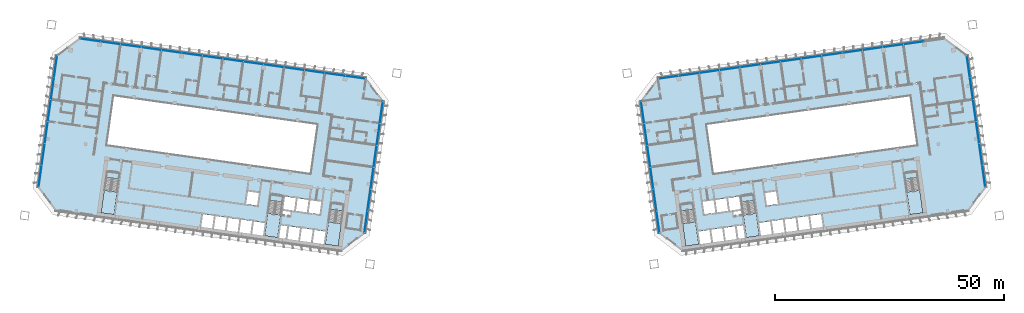
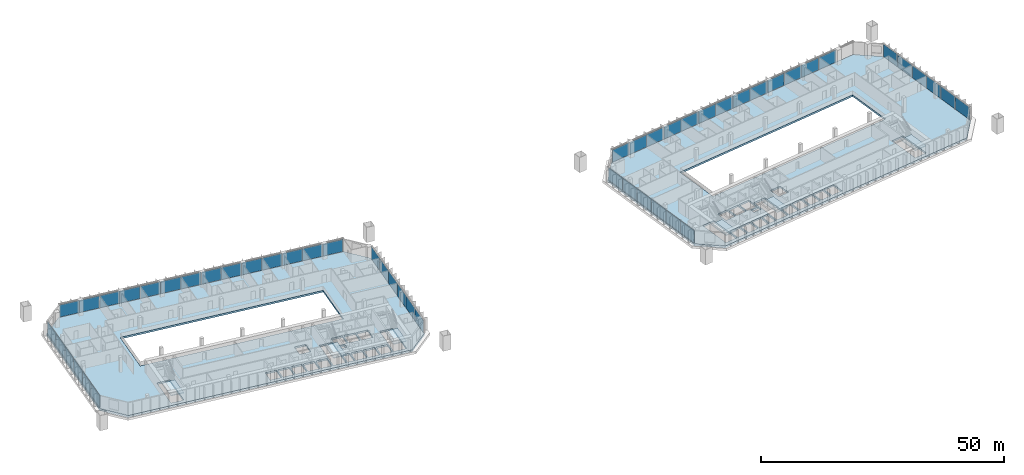
# One storey, part 12 of 24: 51 plates, 8 slabs, 12 elements without a shape of their own.
"""IFC4 building model written with IfcOpenShell, lengths in metres."""

import ifcopenshell
import ifcopenshell.guid

model = None  # the IFC model being written
_history = None  # IfcOwnerHistory: only IFC2X3 demands one
_inside = {}  # id of a spatial element -> (the spatial element, [elements in it])
_under = {}  # id of a project, library or spatial element -> (it, [spatial elements below it])
_declared = {}  # id of a project -> (the project, [libraries it declares])
_typed = {}  # id of a type object -> (the type object, [elements of that type])
_made_of = {}  # id of a material, layer set ... -> (it, [elements and type objects made of it])


def new_model(schema):
    """Start an empty IFC model of exactly this schema.

    Asked for "IFC4X3", IfcOpenShell would pick the latest addendum, in which some entities
    have other attributes; the version numbers below select the first issue.
    IFC2X3 requires an IfcOwnerHistory on every rooted entity: one is made here for all.
    """
    global model, _history
    if schema == "IFC4X3":
        model = ifcopenshell.file(schema_version=(4, 3, 0, 0))
    else:
        model = ifcopenshell.file(schema=schema)
    _inside.clear()
    _under.clear()
    _declared.clear()
    _typed.clear()
    _made_of.clear()
    _history = None
    if model.schema == "IFC2X3":
        org = make("IfcOrganization", Name="unknown")
        user = make(
            "IfcPersonAndOrganization",
            ThePerson=make("IfcPerson", FamilyName="unknown"),
            TheOrganization=org,
        )
        app = make(
            "IfcApplication",
            ApplicationDeveloper=org,
            Version="unknown",
            ApplicationFullName="unknown",
            ApplicationIdentifier="unknown",
        )
        _history = make(
            "IfcOwnerHistory",
            OwningUser=user,
            OwningApplication=app,
            ChangeAction="ADDED",
            CreationDate=0,
        )
    return model


def make(cls, **values):
    """One entity of the class cls with the attributes given. An attribute that is None is left unset."""
    return model.create_entity(
        cls, **{name: value for name, value in values.items() if value is not None}
    )


def rooted(cls, **values):
    """An entity with a GlobalId (a new one), such as an element, a storey or a relation."""
    return make(cls, GlobalId=ifcopenshell.guid.new(), OwnerHistory=_history, **values)


def si_unit(unit_type, name, prefix=None):
    """IfcSIUnit, for example si_unit("LENGTHUNIT", "METRE", prefix="MILLI")."""
    return make("IfcSIUnit", UnitType=unit_type, Prefix=prefix, Name=name)


def assignment(units):
    """IfcUnitAssignment: the units of a project."""
    return None if units is None else make("IfcUnitAssignment", Units=units)


def point(xyz):
    """IfcCartesianPoint."""
    return None if xyz is None else make("IfcCartesianPoint", Coordinates=xyz)


def direction(xyz):
    """IfcDirection."""
    return None if xyz is None else make("IfcDirection", DirectionRatios=xyz)


def frame(location, z_axis=None, x_axis=None):
    """IfcAxis2Placement3D, a coordinate frame: its origin and axes. An axis left out is left unset."""
    return make(
        "IfcAxis2Placement3D",
        Location=point(location),
        Axis=direction(z_axis),
        RefDirection=direction(x_axis),
    )


def frame_2d(location, x_axis=None):
    """IfcAxis2Placement2D, a coordinate frame in the plane: its origin and x axis."""
    return make(
        "IfcAxis2Placement2D", Location=point(location), RefDirection=direction(x_axis)
    )


def origin():
    """The frame at (0, 0, 0) with its axes left unset."""
    return frame((0.0, 0.0, 0.0))


def origin_2d():
    """The frame at (0, 0) in the plane with its x axis left unset."""
    return frame_2d((0.0, 0.0))


def place(relative_to, where):
    """IfcLocalPlacement: puts the frame where relative to a parent placement (None: the world)."""
    return make(
        "IfcLocalPlacement", PlacementRelTo=relative_to, RelativePlacement=where
    )


def context(
    kind, dimensions, precision=None, world=None, true_north=None, identifier=None
):
    """IfcGeometricRepresentationContext, for example the 3D "Model" context."""
    return make(
        "IfcGeometricRepresentationContext",
        ContextIdentifier=identifier,
        ContextType=kind,
        CoordinateSpaceDimension=dimensions,
        Precision=precision,
        WorldCoordinateSystem=world,
        TrueNorth=true_north,
    )


def subcontext(parent, identifier, kind, view, scale=None):
    """IfcGeometricRepresentationSubContext, for example "Body" below "Model"."""
    return make(
        "IfcGeometricRepresentationSubContext",
        ContextIdentifier=identifier,
        ContextType=kind,
        ParentContext=parent,
        TargetScale=scale,
        TargetView=view,
    )


def project(units=None, contexts=None):
    """IfcProject with its units and contexts."""
    return rooted(
        "IfcProject",
        Name="project",
        RepresentationContexts=contexts,
        UnitsInContext=assignment(units),
    )


def spatial(cls, under=None, at=None, **own):
    """A site, building, storey or space (cls), placed at a placement, below another one or the project."""
    s = rooted(cls, ObjectPlacement=at, **own)
    if under is not None:
        _under.setdefault(under.id(), (under, []))[1].append(s)
    return s


def polyline(points):
    """IfcPolyline through the points."""
    return make("IfcPolyline", Points=[point(p) for p in points])


def profile(cls, at=None, kind="AREA", **sizes):
    """A parametric profile (cls). Its sizes go by their IFC names, for example OverallWidth=200.0."""
    return make(cls, ProfileType=kind, Position=at, **sizes)


def rectangle(**sizes):
    """IfcRectangleProfileDef."""
    return profile("IfcRectangleProfileDef", **sizes)


def outline(outer, holes=None, kind="AREA"):
    """IfcArbitraryClosedProfileDef: a profile drawn as a closed curve; with holes, ...WithVoids."""
    if holes is None:
        return make("IfcArbitraryClosedProfileDef", ProfileType=kind, OuterCurve=outer)
    return make(
        "IfcArbitraryProfileDefWithVoids",
        ProfileType=kind,
        OuterCurve=outer,
        InnerCurves=holes,
    )


def extrude(swept, where, along, depth):
    """IfcExtrudedAreaSolid: the profile swept, set in the frame where, extruded along a direction by depth."""
    return make(
        "IfcExtrudedAreaSolid",
        SweptArea=swept,
        Position=where,
        ExtrudedDirection=direction(along),
        Depth=depth,
    )


def shape(context_of_items, identifier, shape_type, items):
    """IfcShapeRepresentation: the items that make up one representation, for example the "Body"."""
    return make(
        "IfcShapeRepresentation",
        ContextOfItems=context_of_items,
        RepresentationIdentifier=identifier,
        RepresentationType=shape_type,
        Items=items,
    )


def material(Name=None, Category=None):
    """IfcMaterial."""
    return make("IfcMaterial", Name=Name, Category=Category)


def layer(
    of_material, thickness, ventilated=None, Name=None, Category=None, Priority=None
):
    """IfcMaterialLayer: one layer of a wall or slab, of a material (None: an air gap)."""
    return make(
        "IfcMaterialLayer",
        Material=of_material,
        LayerThickness=thickness,
        IsVentilated=ventilated,
        Name=Name,
        Category=Category,
        Priority=Priority,
    )


def layer_set(layers, Name=None):
    """IfcMaterialLayerSet."""
    return make("IfcMaterialLayerSet", MaterialLayers=layers, LayerSetName=Name)


def made_of(thing, what):
    """Note that an element or type object is made of a material, layer set ...; save() writes the relation."""
    if what is not None:
        _made_of.setdefault(what.id(), (what, []))[1].append(thing)
    return thing


def type_object(cls, material=None, **own):
    """A type object (cls), such as IfcWallType, which elements share."""
    return made_of(rooted(cls, **own), material)


def element(
    cls,
    number,
    at=None,
    inside=None,
    cuts=None,
    type_object=None,
    material=None,
    context=None,
    identifier="Body",
    shape_type=None,
    held_by="IfcProductDefinitionShape",
    body=None,
    shapes=None,
    **own,
):
    """One element of the class cls, such as IfcWall. Its Tag is "e" and its number.

    at: its placement. inside: the storey or other place that contains it. cuts: it is an
    opening in that element (IfcRelVoidsElement). A single representation is given by context,
    identifier, shape_type and body (its items); several are given by shapes. held_by: the class
    of the entity that holds the representations. save() writes the other relations.
    """
    e = rooted(cls, Tag="e%d" % number, ObjectPlacement=at, **own)
    if body is not None:
        shapes = [shape(context, identifier, shape_type, body)]
    if shapes is not None:
        e.Representation = make(held_by, Representations=shapes)
    if inside is not None:
        _inside.setdefault(inside.id(), (inside, []))[1].append(e)
    if cuts is not None:
        rooted(
            "IfcRelVoidsElement", RelatingBuildingElement=cuts, RelatedOpeningElement=e
        )
    if type_object is not None:
        _typed.setdefault(type_object.id(), (type_object, []))[1].append(e)
    return made_of(e, material)


def aggregate(whole, parts):
    """IfcRelAggregates: a whole, such as a stair, and the parts it consists of."""
    return rooted("IfcRelAggregates", RelatingObject=whole, RelatedObjects=parts)


def save(model, path):
    """Write the relations noted so far, then the file.

    IfcRelAggregates (storeys below a building ...), IfcRelContainedInSpatialStructure (elements
    in a storey), IfcRelDefinesByType, IfcRelAssociatesMaterial and IfcRelDeclares: one each for
    every whole, place, type object, material and project.
    """
    for whole, parts in _under.values():
        aggregate(whole, parts)
    for where, things in _inside.values():
        rooted(
            "IfcRelContainedInSpatialStructure",
            RelatedElements=things,
            RelatingStructure=where,
        )
    for kind, things in _typed.values():
        rooted("IfcRelDefinesByType", RelatedObjects=things, RelatingType=kind)
    for what, things in _made_of.values():
        rooted("IfcRelAssociatesMaterial", RelatedObjects=things, RelatingMaterial=what)
    for by, libraries in _declared.values():
        rooted("IfcRelDeclares", RelatingContext=by, RelatedDefinitions=libraries)
    model.write(path)


model = new_model("IFC4")

# Units and contexts
model_context = context("Model", 3, precision=1e-05, world=origin(), true_north=direction((0.0, 1.0)))
body_context = subcontext(model_context, "Body", "Model", "MODEL_VIEW")
ifc_project = project(units=[si_unit("LENGTHUNIT", "METRE"), si_unit("AREAUNIT", "SQUARE_METRE"), si_unit("VOLUMEUNIT", "CUBIC_METRE"), si_unit("PLANEANGLEUNIT", "RADIAN"), si_unit("MASSUNIT", "GRAM", prefix="KILO")], contexts=[model_context])

# Site, building, storey
site_placement = place(None, origin())
site = spatial("IfcSite", under=ifc_project, at=site_placement, CompositionType="ELEMENT")
building_placement = place(site_placement, origin())
building = spatial("IfcBuilding", under=site, at=building_placement, Name="Mirante Cascada Hotel Towers", CompositionType="ELEMENT")
storey_placement = place(building_placement, frame((0.0, 0.0, 88.9)))
storey = spatial("IfcBuildingStorey", under=building, at=storey_placement, Name="L19", CompositionType="ELEMENT", Elevation=88.9)

# Curtain wall, plates
ifc_material_1 = material(Name="Aluminium mullion and transom frame with clear laminated glass", Category="aluminium")
curtain_wall_type_1 = type_object("IfcCurtainWallType", Name="Ribbon curtain wall ECW1", PredefinedType="NOTDEFINED", material=ifc_material_1)
curtain_wall_1_placement = place(storey_placement, origin())
curtain_wall_1 = element("IfcCurtainWall", 1, at=curtain_wall_1_placement, inside=storey, type_object=curtain_wall_type_1, Name="Front ribbon wall T1 L19", PredefinedType="NOTDEFINED")
ifc_material_2 = material(Name="Clear laminated glass", Category="glass")
ifc_layer_1 = layer(ifc_material_2, 0.036)
ifc_layer_set_1 = layer_set([ifc_layer_1], Name="ECW1 glass panel 36")
plate_type_1 = type_object("IfcPlateType", Name="ECW1 glass panel 36", PredefinedType="CURTAIN_PANEL", material=ifc_layer_set_1)
plate_1_placement = place(storey_placement, frame((-91.9184, 25.7373, 0.1), z_axis=(0.0, 0.0, 1.0), x_axis=(0.9902681, -0.1391731, 0.0)))
plate_1 = element("IfcPlate", 2, at=plate_1_placement, type_object=plate_type_1, Name="ECW1 panel 1", PredefinedType="CURTAIN_PANEL", context=body_context, shape_type="SweptSolid", body=[
    extrude(rectangle(XDim=4.3936, YDim=0.036, at=origin_2d()), origin(), (0.0, 0.0, 1.0), 3.1),
])
plate_2_placement = place(storey_placement, frame((-87.487, 25.1145, 0.1), z_axis=(0.0, 0.0, 1.0), x_axis=(0.9902681, -0.1391731, 0.0)))
plate_2 = element("IfcPlate", 3, at=plate_2_placement, type_object=plate_type_1, Name="ECW1 panel 2", PredefinedType="CURTAIN_PANEL", context=body_context, shape_type="SweptSolid", body=[
    extrude(rectangle(XDim=4.4261, YDim=0.036, at=origin_2d()), origin(), (0.0, 0.0, 1.0), 3.1),
])
plate_3_placement = place(storey_placement, frame((-83.0396, 24.4895, 0.1), z_axis=(0.0, 0.0, 1.0), x_axis=(0.9902681, -0.1391731, 0.0)))
plate_3 = element("IfcPlate", 4, at=plate_3_placement, type_object=plate_type_1, Name="ECW1 panel 3", PredefinedType="CURTAIN_PANEL", context=body_context, shape_type="SweptSolid", body=[
    extrude(rectangle(XDim=4.4261, YDim=0.036, at=origin_2d()), origin(), (0.0, 0.0, 1.0), 3.1),
])
plate_4_placement = place(storey_placement, frame((-78.5922, 23.8644, 0.1), z_axis=(0.0, 0.0, 1.0), x_axis=(0.9902681, -0.1391731, 0.0)))
plate_4 = element("IfcPlate", 5, at=plate_4_placement, type_object=plate_type_1, Name="ECW1 panel 4", PredefinedType="CURTAIN_PANEL", context=body_context, shape_type="SweptSolid", body=[
    extrude(rectangle(XDim=4.4261, YDim=0.036, at=origin_2d()), origin(), (0.0, 0.0, 1.0), 3.1),
])
plate_5_placement = place(storey_placement, frame((-74.1448, 23.2394, 0.1), z_axis=(0.0, 0.0, 1.0), x_axis=(0.9902681, -0.1391731, 0.0)))
plate_5 = element("IfcPlate", 6, at=plate_5_placement, type_object=plate_type_1, Name="ECW1 panel 5", PredefinedType="CURTAIN_PANEL", context=body_context, shape_type="SweptSolid", body=[
    extrude(rectangle(XDim=4.4261, YDim=0.036, at=origin_2d()), origin(), (0.0, 0.0, 1.0), 3.1),
])
plate_6_placement = place(storey_placement, frame((-69.6974, 22.6144, 0.1), z_axis=(0.0, 0.0, 1.0), x_axis=(0.9902681, -0.1391731, 0.0)))
plate_6 = element("IfcPlate", 7, at=plate_6_placement, type_object=plate_type_1, Name="ECW1 panel 6", PredefinedType="CURTAIN_PANEL", context=body_context, shape_type="SweptSolid", body=[
    extrude(rectangle(XDim=4.4261, YDim=0.036, at=origin_2d()), origin(), (0.0, 0.0, 1.0), 3.1),
])
plate_7_placement = place(storey_placement, frame((-65.2499, 21.9893, 0.1), z_axis=(0.0, 0.0, 1.0), x_axis=(0.9902681, -0.1391731, 0.0)))
plate_7 = element("IfcPlate", 8, at=plate_7_placement, type_object=plate_type_1, Name="ECW1 panel 7", PredefinedType="CURTAIN_PANEL", context=body_context, shape_type="SweptSolid", body=[
    extrude(rectangle(XDim=4.4261, YDim=0.036, at=origin_2d()), origin(), (0.0, 0.0, 1.0), 3.1),
])
plate_8_placement = place(storey_placement, frame((-60.8025, 21.3643, 0.1), z_axis=(0.0, 0.0, 1.0), x_axis=(0.9902681, -0.1391731, 0.0)))
plate_8 = element("IfcPlate", 9, at=plate_8_placement, type_object=plate_type_1, Name="ECW1 panel 8", PredefinedType="CURTAIN_PANEL", context=body_context, shape_type="SweptSolid", body=[
    extrude(rectangle(XDim=4.4261, YDim=0.036, at=origin_2d()), origin(), (0.0, 0.0, 1.0), 3.1),
])
plate_9_placement = place(storey_placement, frame((-56.3551, 20.7392, 0.1), z_axis=(0.0, 0.0, 1.0), x_axis=(0.9902681, -0.1391731, 0.0)))
plate_9 = element("IfcPlate", 10, at=plate_9_placement, type_object=plate_type_1, Name="ECW1 panel 9", PredefinedType="CURTAIN_PANEL", context=body_context, shape_type="SweptSolid", body=[
    extrude(rectangle(XDim=4.4261, YDim=0.036, at=origin_2d()), origin(), (0.0, 0.0, 1.0), 3.1),
])
plate_10_placement = place(storey_placement, frame((-51.9077, 20.1142, 0.1), z_axis=(0.0, 0.0, 1.0), x_axis=(0.9902681, -0.1391731, 0.0)))
plate_10 = element("IfcPlate", 11, at=plate_10_placement, type_object=plate_type_1, Name="ECW1 panel 10", PredefinedType="CURTAIN_PANEL", context=body_context, shape_type="SweptSolid", body=[
    extrude(rectangle(XDim=4.4261, YDim=0.036, at=origin_2d()), origin(), (0.0, 0.0, 1.0), 3.1),
])
plate_11_placement = place(storey_placement, frame((-47.4603, 19.4891, 0.1), z_axis=(0.0, 0.0, 1.0), x_axis=(0.9902681, -0.1391731, 0.0)))
plate_11 = element("IfcPlate", 12, at=plate_11_placement, type_object=plate_type_1, Name="ECW1 panel 11", PredefinedType="CURTAIN_PANEL", context=body_context, shape_type="SweptSolid", body=[
    extrude(rectangle(XDim=4.4261, YDim=0.036, at=origin_2d()), origin(), (0.0, 0.0, 1.0), 3.1),
])
plate_12_placement = place(storey_placement, frame((-43.0129, 18.8641, 0.1), z_axis=(0.0, 0.0, 1.0), x_axis=(0.9902681, -0.1391731, 0.0)))
plate_12 = element("IfcPlate", 13, at=plate_12_placement, type_object=plate_type_1, Name="ECW1 panel 12", PredefinedType="CURTAIN_PANEL", context=body_context, shape_type="SweptSolid", body=[
    extrude(rectangle(XDim=4.4261, YDim=0.036, at=origin_2d()), origin(), (0.0, 0.0, 1.0), 3.1),
])
plate_13_placement = place(storey_placement, frame((-38.5654, 18.239, 0.1), z_axis=(0.0, 0.0, 1.0), x_axis=(0.9902681, -0.1391731, 0.0)))
plate_13 = element("IfcPlate", 14, at=plate_13_placement, type_object=plate_type_1, Name="ECW1 panel 13", PredefinedType="CURTAIN_PANEL", context=body_context, shape_type="SweptSolid", body=[
    extrude(rectangle(XDim=4.4261, YDim=0.036, at=origin_2d()), origin(), (0.0, 0.0, 1.0), 3.1),
])
plate_14_placement = place(storey_placement, frame((-34.1341, 17.6163, 0.1), z_axis=(0.0, 0.0, 1.0), x_axis=(0.9902681, -0.1391731, 0.0)))
plate_14 = element("IfcPlate", 15, at=plate_14_placement, type_object=plate_type_1, Name="ECW1 panel 14", PredefinedType="CURTAIN_PANEL", context=body_context, shape_type="SweptSolid", body=[
    extrude(rectangle(XDim=4.3936, YDim=0.036, at=origin_2d()), origin(), (0.0, 0.0, 1.0), 3.1),
])
aggregate(curtain_wall_1, [plate_1, plate_2, plate_3, plate_4, plate_5, plate_6, plate_7, plate_8, plate_9, plate_10, plate_11, plate_12, plate_13, plate_14])

curtain_wall_2_placement = place(storey_placement, origin())
curtain_wall_2 = element("IfcCurtainWall", 16, at=curtain_wall_2_placement, inside=storey, type_object=curtain_wall_type_1, Name="Front ribbon wall T2 L19", PredefinedType="NOTDEFINED")
plate_15_placement = place(storey_placement, frame((87.487, 25.1145, 0.1), z_axis=(0.0, 0.0, 1.0), x_axis=(-0.9902681, -0.1391731, 0.0)))
plate_15 = element("IfcPlate", 17, at=plate_15_placement, type_object=plate_type_1, Name="ECW1 panel 2", PredefinedType="CURTAIN_PANEL", context=body_context, shape_type="SweptSolid", body=[
    extrude(rectangle(XDim=4.4261, YDim=0.036, at=origin_2d()), origin(), (0.0, 0.0, 1.0), 3.1),
])
plate_16_placement = place(storey_placement, frame((83.0396, 24.4895, 0.1), z_axis=(0.0, 0.0, 1.0), x_axis=(-0.9902681, -0.1391731, 0.0)))
plate_16 = element("IfcPlate", 18, at=plate_16_placement, type_object=plate_type_1, Name="ECW1 panel 3", PredefinedType="CURTAIN_PANEL", context=body_context, shape_type="SweptSolid", body=[
    extrude(rectangle(XDim=4.4261, YDim=0.036, at=origin_2d()), origin(), (0.0, 0.0, 1.0), 3.1),
])
plate_17_placement = place(storey_placement, frame((78.5922, 23.8644, 0.1), z_axis=(0.0, 0.0, 1.0), x_axis=(-0.9902681, -0.1391731, 0.0)))
plate_17 = element("IfcPlate", 19, at=plate_17_placement, type_object=plate_type_1, Name="ECW1 panel 4", PredefinedType="CURTAIN_PANEL", context=body_context, shape_type="SweptSolid", body=[
    extrude(rectangle(XDim=4.4261, YDim=0.036, at=origin_2d()), origin(), (0.0, 0.0, 1.0), 3.1),
])
plate_18_placement = place(storey_placement, frame((74.1448, 23.2394, 0.1), z_axis=(0.0, 0.0, 1.0), x_axis=(-0.9902681, -0.1391731, 0.0)))
plate_18 = element("IfcPlate", 20, at=plate_18_placement, type_object=plate_type_1, Name="ECW1 panel 5", PredefinedType="CURTAIN_PANEL", context=body_context, shape_type="SweptSolid", body=[
    extrude(rectangle(XDim=4.4261, YDim=0.036, at=origin_2d()), origin(), (0.0, 0.0, 1.0), 3.1),
])
plate_19_placement = place(storey_placement, frame((69.6974, 22.6144, 0.1), z_axis=(0.0, 0.0, 1.0), x_axis=(-0.9902681, -0.1391731, 0.0)))
plate_19 = element("IfcPlate", 21, at=plate_19_placement, type_object=plate_type_1, Name="ECW1 panel 6", PredefinedType="CURTAIN_PANEL", context=body_context, shape_type="SweptSolid", body=[
    extrude(rectangle(XDim=4.4261, YDim=0.036, at=origin_2d()), origin(), (0.0, 0.0, 1.0), 3.1),
])
plate_20_placement = place(storey_placement, frame((65.2499, 21.9893, 0.1), z_axis=(0.0, 0.0, 1.0), x_axis=(-0.9902681, -0.1391731, 0.0)))
plate_20 = element("IfcPlate", 22, at=plate_20_placement, type_object=plate_type_1, Name="ECW1 panel 7", PredefinedType="CURTAIN_PANEL", context=body_context, shape_type="SweptSolid", body=[
    extrude(rectangle(XDim=4.4261, YDim=0.036, at=origin_2d()), origin(), (0.0, 0.0, 1.0), 3.1),
])
plate_21_placement = place(storey_placement, frame((60.8025, 21.3643, 0.1), z_axis=(0.0, 0.0, 1.0), x_axis=(-0.9902681, -0.1391731, 0.0)))
plate_21 = element("IfcPlate", 23, at=plate_21_placement, type_object=plate_type_1, Name="ECW1 panel 8", PredefinedType="CURTAIN_PANEL", context=body_context, shape_type="SweptSolid", body=[
    extrude(rectangle(XDim=4.4261, YDim=0.036, at=origin_2d()), origin(), (0.0, 0.0, 1.0), 3.1),
])
plate_22_placement = place(storey_placement, frame((56.3551, 20.7392, 0.1), z_axis=(0.0, 0.0, 1.0), x_axis=(-0.9902681, -0.1391731, 0.0)))
plate_22 = element("IfcPlate", 24, at=plate_22_placement, type_object=plate_type_1, Name="ECW1 panel 9", PredefinedType="CURTAIN_PANEL", context=body_context, shape_type="SweptSolid", body=[
    extrude(rectangle(XDim=4.4261, YDim=0.036, at=origin_2d()), origin(), (0.0, 0.0, 1.0), 3.1),
])
plate_23_placement = place(storey_placement, frame((51.9077, 20.1142, 0.1), z_axis=(0.0, 0.0, 1.0), x_axis=(-0.9902681, -0.1391731, 0.0)))
plate_23 = element("IfcPlate", 25, at=plate_23_placement, type_object=plate_type_1, Name="ECW1 panel 10", PredefinedType="CURTAIN_PANEL", context=body_context, shape_type="SweptSolid", body=[
    extrude(rectangle(XDim=4.4261, YDim=0.036, at=origin_2d()), origin(), (0.0, 0.0, 1.0), 3.1),
])
plate_24_placement = place(storey_placement, frame((47.4603, 19.4891, 0.1), z_axis=(0.0, 0.0, 1.0), x_axis=(-0.9902681, -0.1391731, 0.0)))
plate_24 = element("IfcPlate", 26, at=plate_24_placement, type_object=plate_type_1, Name="ECW1 panel 11", PredefinedType="CURTAIN_PANEL", context=body_context, shape_type="SweptSolid", body=[
    extrude(rectangle(XDim=4.4261, YDim=0.036, at=origin_2d()), origin(), (0.0, 0.0, 1.0), 3.1),
])
plate_25_placement = place(storey_placement, frame((43.0129, 18.8641, 0.1), z_axis=(0.0, 0.0, 1.0), x_axis=(-0.9902681, -0.1391731, 0.0)))
plate_25 = element("IfcPlate", 27, at=plate_25_placement, type_object=plate_type_1, Name="ECW1 panel 12", PredefinedType="CURTAIN_PANEL", context=body_context, shape_type="SweptSolid", body=[
    extrude(rectangle(XDim=4.4261, YDim=0.036, at=origin_2d()), origin(), (0.0, 0.0, 1.0), 3.1),
])
plate_26_placement = place(storey_placement, frame((38.5654, 18.239, 0.1), z_axis=(0.0, 0.0, 1.0), x_axis=(-0.9902681, -0.1391731, 0.0)))
plate_26 = element("IfcPlate", 28, at=plate_26_placement, type_object=plate_type_1, Name="ECW1 panel 13", PredefinedType="CURTAIN_PANEL", context=body_context, shape_type="SweptSolid", body=[
    extrude(rectangle(XDim=4.4261, YDim=0.036, at=origin_2d()), origin(), (0.0, 0.0, 1.0), 3.1),
])
plate_27_placement = place(storey_placement, frame((34.1341, 17.6163, 0.1), z_axis=(0.0, 0.0, 1.0), x_axis=(-0.9902681, -0.1391731, 0.0)))
plate_27 = element("IfcPlate", 29, at=plate_27_placement, type_object=plate_type_1, Name="ECW1 panel 14", PredefinedType="CURTAIN_PANEL", context=body_context, shape_type="SweptSolid", body=[
    extrude(rectangle(XDim=4.3936, YDim=0.036, at=origin_2d()), origin(), (0.0, 0.0, 1.0), 3.1),
])
aggregate(curtain_wall_2, [plate_15, plate_16, plate_17, plate_18, plate_19, plate_20, plate_21, plate_22, plate_23, plate_24, plate_25, plate_26, plate_27])

ifc_material_3 = material(Name="Aluminium mullion and transom frame with clear laminated glass", Category="aluminium")
curtain_wall_type_2 = type_object("IfcCurtainWallType", Name="End ribbon curtain wall ECW2", PredefinedType="NOTDEFINED", material=ifc_material_3)
curtain_wall_3_placement = place(storey_placement, origin())
curtain_wall_3 = element("IfcCurtainWall", 30, at=curtain_wall_3_placement, inside=storey, type_object=curtain_wall_type_2, Name="Inner end wall T1 L19", PredefinedType="NOTDEFINED")
ifc_material_4 = material(Name="Clear laminated glass", Category="glass")
ifc_layer_2 = layer(ifc_material_4, 0.034)
ifc_layer_set_2 = layer_set([ifc_layer_2], Name="ECW2 glass panel 34")
plate_type_2 = type_object("IfcPlateType", Name="ECW2 glass panel 34", PredefinedType="CURTAIN_PANEL", material=ifc_layer_set_2)
plate_28_placement = place(storey_placement, frame((-28.4763, 9.9193, 0.1), z_axis=(0.0, 0.0, 1.0), x_axis=(-0.1391731, -0.9902681, 0.0)))
plate_28 = element("IfcPlate", 31, at=plate_28_placement, type_object=plate_type_2, Name="ECW2 panel 1", PredefinedType="CURTAIN_PANEL", context=body_context, shape_type="SweptSolid", body=[
    extrude(rectangle(XDim=4.7151, YDim=0.034, at=origin_2d()), origin(), (0.0, 0.0, 1.0), 3.1),
])
plate_29_placement = place(storey_placement, frame((-29.1439, 5.1696, 0.1), z_axis=(0.0, 0.0, 1.0), x_axis=(-0.1391731, -0.9902681, 0.0)))
plate_29 = element("IfcPlate", 32, at=plate_29_placement, type_object=plate_type_2, Name="ECW2 panel 2", PredefinedType="CURTAIN_PANEL", context=body_context, shape_type="SweptSolid", body=[
    extrude(rectangle(XDim=4.7476, YDim=0.034, at=origin_2d()), origin(), (0.0, 0.0, 1.0), 3.1),
])
plate_30_placement = place(storey_placement, frame((-29.8136, 0.4038, 0.1), z_axis=(0.0, 0.0, 1.0), x_axis=(-0.1391731, -0.9902681, 0.0)))
plate_30 = element("IfcPlate", 33, at=plate_30_placement, type_object=plate_type_2, Name="ECW2 panel 3", PredefinedType="CURTAIN_PANEL", context=body_context, shape_type="SweptSolid", body=[
    extrude(rectangle(XDim=4.7476, YDim=0.034, at=origin_2d()), origin(), (0.0, 0.0, 1.0), 3.1),
])
plate_31_placement = place(storey_placement, frame((-30.4834, -4.362, 0.1), z_axis=(0.0, 0.0, 1.0), x_axis=(-0.1391731, -0.9902681, 0.0)))
plate_31 = element("IfcPlate", 34, at=plate_31_placement, type_object=plate_type_2, Name="ECW2 panel 4", PredefinedType="CURTAIN_PANEL", context=body_context, shape_type="SweptSolid", body=[
    extrude(rectangle(XDim=4.7476, YDim=0.034, at=origin_2d()), origin(), (0.0, 0.0, 1.0), 3.1),
])
plate_32_placement = place(storey_placement, frame((-31.1532, -9.1278, 0.1), z_axis=(0.0, 0.0, 1.0), x_axis=(-0.1391731, -0.9902681, 0.0)))
plate_32 = element("IfcPlate", 35, at=plate_32_placement, type_object=plate_type_2, Name="ECW2 panel 5", PredefinedType="CURTAIN_PANEL", context=body_context, shape_type="SweptSolid", body=[
    extrude(rectangle(XDim=4.7476, YDim=0.034, at=origin_2d()), origin(), (0.0, 0.0, 1.0), 3.1),
])
plate_33_placement = place(storey_placement, frame((-31.8207, -13.8775, 0.1), z_axis=(0.0, 0.0, 1.0), x_axis=(-0.1391731, -0.9902681, 0.0)))
plate_33 = element("IfcPlate", 36, at=plate_33_placement, type_object=plate_type_2, Name="ECW2 panel 6", PredefinedType="CURTAIN_PANEL", context=body_context, shape_type="SweptSolid", body=[
    extrude(rectangle(XDim=4.7151, YDim=0.034, at=origin_2d()), origin(), (0.0, 0.0, 1.0), 3.1),
])
aggregate(curtain_wall_3, [plate_28, plate_29, plate_30, plate_31, plate_32, plate_33])

curtain_wall_4_placement = place(storey_placement, origin())
curtain_wall_4 = element("IfcCurtainWall", 37, at=curtain_wall_4_placement, inside=storey, type_object=curtain_wall_type_2, Name="Outer end wall T1 L19", PredefinedType="NOTDEFINED")
plate_34_placement = place(storey_placement, frame((-102.823, -3.8988, 0.1), z_axis=(0.0, 0.0, 1.0), x_axis=(0.1391731, 0.9902681, 0.0)))
plate_34 = element("IfcPlate", 38, at=plate_34_placement, type_object=plate_type_2, Name="ECW2 panel 1", PredefinedType="CURTAIN_PANEL", context=body_context, shape_type="SweptSolid", body=[
    extrude(rectangle(XDim=4.7151, YDim=0.034, at=origin_2d()), origin(), (0.0, 0.0, 1.0), 3.1),
])
plate_35_placement = place(storey_placement, frame((-102.1554, 0.8509, 0.1), z_axis=(0.0, 0.0, 1.0), x_axis=(0.1391731, 0.9902681, 0.0)))
plate_35 = element("IfcPlate", 39, at=plate_35_placement, type_object=plate_type_2, Name="ECW2 panel 2", PredefinedType="CURTAIN_PANEL", context=body_context, shape_type="SweptSolid", body=[
    extrude(rectangle(XDim=4.7476, YDim=0.034, at=origin_2d()), origin(), (0.0, 0.0, 1.0), 3.1),
])
plate_36_placement = place(storey_placement, frame((-101.4857, 5.6167, 0.1), z_axis=(0.0, 0.0, 1.0), x_axis=(0.1391731, 0.9902681, 0.0)))
plate_36 = element("IfcPlate", 40, at=plate_36_placement, type_object=plate_type_2, Name="ECW2 panel 3", PredefinedType="CURTAIN_PANEL", context=body_context, shape_type="SweptSolid", body=[
    extrude(rectangle(XDim=4.7476, YDim=0.034, at=origin_2d()), origin(), (0.0, 0.0, 1.0), 3.1),
])
plate_37_placement = place(storey_placement, frame((-100.8159, 10.3825, 0.1), z_axis=(0.0, 0.0, 1.0), x_axis=(0.1391731, 0.9902681, 0.0)))
plate_37 = element("IfcPlate", 41, at=plate_37_placement, type_object=plate_type_2, Name="ECW2 panel 4", PredefinedType="CURTAIN_PANEL", context=body_context, shape_type="SweptSolid", body=[
    extrude(rectangle(XDim=4.7476, YDim=0.034, at=origin_2d()), origin(), (0.0, 0.0, 1.0), 3.1),
])
plate_38_placement = place(storey_placement, frame((-100.1461, 15.1483, 0.1), z_axis=(0.0, 0.0, 1.0), x_axis=(0.1391731, 0.9902681, 0.0)))
plate_38 = element("IfcPlate", 42, at=plate_38_placement, type_object=plate_type_2, Name="ECW2 panel 5", PredefinedType="CURTAIN_PANEL", context=body_context, shape_type="SweptSolid", body=[
    extrude(rectangle(XDim=4.7476, YDim=0.034, at=origin_2d()), origin(), (0.0, 0.0, 1.0), 3.1),
])
plate_39_placement = place(storey_placement, frame((-99.4786, 19.898, 0.1), z_axis=(0.0, 0.0, 1.0), x_axis=(0.1391731, 0.9902681, 0.0)))
plate_39 = element("IfcPlate", 43, at=plate_39_placement, type_object=plate_type_2, Name="ECW2 panel 6", PredefinedType="CURTAIN_PANEL", context=body_context, shape_type="SweptSolid", body=[
    extrude(rectangle(XDim=4.7151, YDim=0.034, at=origin_2d()), origin(), (0.0, 0.0, 1.0), 3.1),
])
aggregate(curtain_wall_4, [plate_34, plate_35, plate_36, plate_37, plate_38, plate_39])

curtain_wall_5_placement = place(storey_placement, origin())
curtain_wall_5 = element("IfcCurtainWall", 44, at=curtain_wall_5_placement, inside=storey, type_object=curtain_wall_type_2, Name="Inner end wall T2 L19", PredefinedType="NOTDEFINED")
plate_40_placement = place(storey_placement, frame((28.4763, 9.9193, 0.1), z_axis=(0.0, 0.0, 1.0), x_axis=(0.1391731, -0.9902681, 0.0)))
plate_40 = element("IfcPlate", 45, at=plate_40_placement, type_object=plate_type_2, Name="ECW2 panel 1", PredefinedType="CURTAIN_PANEL", context=body_context, shape_type="SweptSolid", body=[
    extrude(rectangle(XDim=4.7151, YDim=0.034, at=origin_2d()), origin(), (0.0, 0.0, 1.0), 3.1),
])
plate_41_placement = place(storey_placement, frame((29.1439, 5.1696, 0.1), z_axis=(0.0, 0.0, 1.0), x_axis=(0.1391731, -0.9902681, 0.0)))
plate_41 = element("IfcPlate", 46, at=plate_41_placement, type_object=plate_type_2, Name="ECW2 panel 2", PredefinedType="CURTAIN_PANEL", context=body_context, shape_type="SweptSolid", body=[
    extrude(rectangle(XDim=4.7476, YDim=0.034, at=origin_2d()), origin(), (0.0, 0.0, 1.0), 3.1),
])
plate_42_placement = place(storey_placement, frame((29.8136, 0.4038, 0.1), z_axis=(0.0, 0.0, 1.0), x_axis=(0.1391731, -0.9902681, 0.0)))
plate_42 = element("IfcPlate", 47, at=plate_42_placement, type_object=plate_type_2, Name="ECW2 panel 3", PredefinedType="CURTAIN_PANEL", context=body_context, shape_type="SweptSolid", body=[
    extrude(rectangle(XDim=4.7476, YDim=0.034, at=origin_2d()), origin(), (0.0, 0.0, 1.0), 3.1),
])
plate_43_placement = place(storey_placement, frame((30.4834, -4.362, 0.1), z_axis=(0.0, 0.0, 1.0), x_axis=(0.1391731, -0.9902681, 0.0)))
plate_43 = element("IfcPlate", 48, at=plate_43_placement, type_object=plate_type_2, Name="ECW2 panel 4", PredefinedType="CURTAIN_PANEL", context=body_context, shape_type="SweptSolid", body=[
    extrude(rectangle(XDim=4.7476, YDim=0.034, at=origin_2d()), origin(), (0.0, 0.0, 1.0), 3.1),
])
plate_44_placement = place(storey_placement, frame((31.1532, -9.1278, 0.1), z_axis=(0.0, 0.0, 1.0), x_axis=(0.1391731, -0.9902681, 0.0)))
plate_44 = element("IfcPlate", 49, at=plate_44_placement, type_object=plate_type_2, Name="ECW2 panel 5", PredefinedType="CURTAIN_PANEL", context=body_context, shape_type="SweptSolid", body=[
    extrude(rectangle(XDim=4.7476, YDim=0.034, at=origin_2d()), origin(), (0.0, 0.0, 1.0), 3.1),
])
plate_45_placement = place(storey_placement, frame((31.8207, -13.8775, 0.1), z_axis=(0.0, 0.0, 1.0), x_axis=(0.1391731, -0.9902681, 0.0)))
plate_45 = element("IfcPlate", 50, at=plate_45_placement, type_object=plate_type_2, Name="ECW2 panel 6", PredefinedType="CURTAIN_PANEL", context=body_context, shape_type="SweptSolid", body=[
    extrude(rectangle(XDim=4.7151, YDim=0.034, at=origin_2d()), origin(), (0.0, 0.0, 1.0), 3.1),
])
aggregate(curtain_wall_5, [plate_40, plate_41, plate_42, plate_43, plate_44, plate_45])

curtain_wall_6_placement = place(storey_placement, origin())
curtain_wall_6 = element("IfcCurtainWall", 51, at=curtain_wall_6_placement, inside=storey, type_object=curtain_wall_type_2, Name="Outer end wall T2 L19", PredefinedType="NOTDEFINED")
plate_46_placement = place(storey_placement, frame((102.823, -3.8988, 0.1), z_axis=(0.0, 0.0, 1.0), x_axis=(-0.1391731, 0.9902681, 0.0)))
plate_46 = element("IfcPlate", 52, at=plate_46_placement, type_object=plate_type_2, Name="ECW2 panel 1", PredefinedType="CURTAIN_PANEL", context=body_context, shape_type="SweptSolid", body=[
    extrude(rectangle(XDim=4.7151, YDim=0.034, at=origin_2d()), origin(), (0.0, 0.0, 1.0), 3.1),
])
plate_47_placement = place(storey_placement, frame((102.1554, 0.8509, 0.1), z_axis=(0.0, 0.0, 1.0), x_axis=(-0.1391731, 0.9902681, 0.0)))
plate_47 = element("IfcPlate", 53, at=plate_47_placement, type_object=plate_type_2, Name="ECW2 panel 2", PredefinedType="CURTAIN_PANEL", context=body_context, shape_type="SweptSolid", body=[
    extrude(rectangle(XDim=4.7476, YDim=0.034, at=origin_2d()), origin(), (0.0, 0.0, 1.0), 3.1),
])
plate_48_placement = place(storey_placement, frame((101.4857, 5.6167, 0.1), z_axis=(0.0, 0.0, 1.0), x_axis=(-0.1391731, 0.9902681, 0.0)))
plate_48 = element("IfcPlate", 54, at=plate_48_placement, type_object=plate_type_2, Name="ECW2 panel 3", PredefinedType="CURTAIN_PANEL", context=body_context, shape_type="SweptSolid", body=[
    extrude(rectangle(XDim=4.7476, YDim=0.034, at=origin_2d()), origin(), (0.0, 0.0, 1.0), 3.1),
])
plate_49_placement = place(storey_placement, frame((100.8159, 10.3825, 0.1), z_axis=(0.0, 0.0, 1.0), x_axis=(-0.1391731, 0.9902681, 0.0)))
plate_49 = element("IfcPlate", 55, at=plate_49_placement, type_object=plate_type_2, Name="ECW2 panel 4", PredefinedType="CURTAIN_PANEL", context=body_context, shape_type="SweptSolid", body=[
    extrude(rectangle(XDim=4.7476, YDim=0.034, at=origin_2d()), origin(), (0.0, 0.0, 1.0), 3.1),
])
plate_50_placement = place(storey_placement, frame((100.1461, 15.1483, 0.1), z_axis=(0.0, 0.0, 1.0), x_axis=(-0.1391731, 0.9902681, 0.0)))
plate_50 = element("IfcPlate", 56, at=plate_50_placement, type_object=plate_type_2, Name="ECW2 panel 5", PredefinedType="CURTAIN_PANEL", context=body_context, shape_type="SweptSolid", body=[
    extrude(rectangle(XDim=4.7476, YDim=0.034, at=origin_2d()), origin(), (0.0, 0.0, 1.0), 3.1),
])
plate_51_placement = place(storey_placement, frame((99.4786, 19.898, 0.1), z_axis=(0.0, 0.0, 1.0), x_axis=(-0.1391731, 0.9902681, 0.0)))
plate_51 = element("IfcPlate", 57, at=plate_51_placement, type_object=plate_type_2, Name="ECW2 panel 6", PredefinedType="CURTAIN_PANEL", context=body_context, shape_type="SweptSolid", body=[
    extrude(rectangle(XDim=4.7151, YDim=0.034, at=origin_2d()), origin(), (0.0, 0.0, 1.0), 3.1),
])
aggregate(curtain_wall_6, [plate_46, plate_47, plate_48, plate_49, plate_50, plate_51])

# Stair, slab
ifc_material_5 = material(Name="Concrete C35/45", Category="concrete")
stair_type = type_object("IfcStairType", Name="Exit stair half-turn 1350 concrete C35/45", PredefinedType="HALF_TURN_STAIR", material=ifc_material_5)
stair_1_placement = place(storey_placement, origin())
stair_1 = element("IfcStair", 58, at=stair_1_placement, inside=storey, type_object=stair_type, Name="L19 Exit stair A", PredefinedType="HALF_TURN_STAIR")
ifc_material_6 = material(Name="Concrete C35/45", Category="concrete")
ifc_layer_3 = layer(ifc_material_6, 0.2)
ifc_layer_set_3 = layer_set([ifc_layer_3], Name="Exit stair landing 200 concrete C35/45")
slab_type_1 = type_object("IfcSlabType", Name="Exit stair landing 200 concrete C35/45", PredefinedType="LANDING", material=ifc_layer_set_3)
slab_1_placement = place(storey_placement, frame((0.0, 0.0, 1.7)))
slab_1 = element("IfcSlab", 59, at=slab_1_placement, type_object=slab_type_1, Name="ST1-A landing 1", PredefinedType="LANDING", context=body_context, shape_type="SweptSolid", body=[
    extrude(outline(polyline([(-39.9987, -13.8659), (-40.6887, -18.7757), (-37.8665, -19.1723), (-37.1765, -14.2626), (-39.9987, -13.8659)])), origin(), (0.0, 0.0, 1.0), 0.2),
])
aggregate(stair_1, [slab_1])

stair_2_placement = place(storey_placement, origin())
stair_2 = element("IfcStair", 60, at=stair_2_placement, inside=storey, type_object=stair_type, Name="L19 Exit stair B", PredefinedType="HALF_TURN_STAIR")
slab_2_placement = place(storey_placement, frame((0.0, 0.0, 1.7)))
slab_2 = element("IfcSlab", 61, at=slab_2_placement, type_object=slab_type_1, Name="ST1-B landing 1", PredefinedType="LANDING", context=body_context, shape_type="SweptSolid", body=[
    extrude(outline(polyline([(-53.2188, -12.008), (-53.9088, -16.9177), (-51.0866, -17.3144), (-50.3965, -12.4046), (-53.2188, -12.008)])), origin(), (0.0, 0.0, 1.0), 0.2),
])
aggregate(stair_2, [slab_2])

stair_3_placement = place(storey_placement, origin())
stair_3 = element("IfcStair", 62, at=stair_3_placement, inside=storey, type_object=stair_type, Name="L19 Exit stair C", PredefinedType="HALF_TURN_STAIR")
slab_3_placement = place(storey_placement, frame((0.0, 0.0, 1.7)))
slab_3 = element("IfcSlab", 63, at=slab_3_placement, type_object=slab_type_1, Name="ST1-C landing 1", PredefinedType="LANDING", context=body_context, shape_type="SweptSolid", body=[
    extrude(outline(polyline([(-88.8685, -6.9977), (-89.5585, -11.9075), (-86.7362, -12.3041), (-86.0462, -7.3944), (-88.8685, -6.9977)])), origin(), (0.0, 0.0, 1.0), 0.2),
])
aggregate(stair_3, [slab_3])

stair_4_placement = place(storey_placement, origin())
stair_4 = element("IfcStair", 64, at=stair_4_placement, inside=storey, type_object=stair_type, Name="L19 Exit stair A", PredefinedType="HALF_TURN_STAIR")
slab_4_placement = place(storey_placement, frame((0.0, 0.0, 1.7)))
slab_4 = element("IfcSlab", 65, at=slab_4_placement, type_object=slab_type_1, Name="ST2-A landing 1", PredefinedType="LANDING", context=body_context, shape_type="SweptSolid", body=[
    extrude(outline(polyline([(37.1765, -14.2626), (37.8665, -19.1723), (40.6887, -18.7757), (39.9987, -13.8659), (37.1765, -14.2626)])), origin(), (0.0, 0.0, 1.0), 0.2),
])
aggregate(stair_4, [slab_4])

stair_5_placement = place(storey_placement, origin())
stair_5 = element("IfcStair", 66, at=stair_5_placement, inside=storey, type_object=stair_type, Name="L19 Exit stair B", PredefinedType="HALF_TURN_STAIR")
slab_5_placement = place(storey_placement, frame((0.0, 0.0, 1.7)))
slab_5 = element("IfcSlab", 67, at=slab_5_placement, type_object=slab_type_1, Name="ST2-B landing 1", PredefinedType="LANDING", context=body_context, shape_type="SweptSolid", body=[
    extrude(outline(polyline([(50.3965, -12.4046), (51.0866, -17.3144), (53.9088, -16.9177), (53.2188, -12.008), (50.3965, -12.4046)])), origin(), (0.0, 0.0, 1.0), 0.2),
])
aggregate(stair_5, [slab_5])

stair_6_placement = place(storey_placement, origin())
stair_6 = element("IfcStair", 68, at=stair_6_placement, inside=storey, type_object=stair_type, Name="L19 Exit stair C", PredefinedType="HALF_TURN_STAIR")
slab_6_placement = place(storey_placement, frame((0.0, 0.0, 1.7)))
slab_6 = element("IfcSlab", 69, at=slab_6_placement, type_object=slab_type_1, Name="ST2-C landing 1", PredefinedType="LANDING", context=body_context, shape_type="SweptSolid", body=[
    extrude(outline(polyline([(86.0462, -7.3944), (86.7362, -12.3041), (89.5585, -11.9075), (88.8685, -6.9977), (86.0462, -7.3944)])), origin(), (0.0, 0.0, 1.0), 0.2),
])
aggregate(stair_6, [slab_6])

# Slabs
ifc_material_7 = material(Name="Concrete C40/50", Category="concrete")
ifc_layer_4 = layer(ifc_material_7, 0.45)
ifc_layer_set_4 = layer_set([ifc_layer_4], Name="Post-tensioned flat plate 450 Concrete C40/50")
slab_type_2 = type_object("IfcSlabType", Name="Post-tensioned flat plate 450 Concrete C40/50", PredefinedType="FLOOR", material=ifc_layer_set_4)
slab_7_placement = place(storey_placement, frame((0.0, 0.0, -0.45)))
element("IfcSlab", 70, at=slab_7_placement, inside=storey, type_object=slab_type_2, Name="Floor T1 L19", PredefinedType="FLOOR", context=body_context, shape_type="SweptSolid", body=[
    extrude(outline(polyline([(-32.018, -16.3589), (-27.982, 12.3589), (-31.8119, 17.4414), (-94.1988, 26.2093), (-99.2813, 22.3794), (-103.3173, -6.3384), (-99.4874, -11.4209), (-37.1005, -20.1888), (-32.018, -16.3589)]), holes=[polyline([(-43.0718, -15.6132), (-40.5961, -15.9612), (-40.9858, -18.7339), (-43.4615, -18.386), (-43.0718, -15.6132)]), polyline([(-45.8446, -15.2236), (-43.3689, -15.5715), (-43.7586, -18.3442), (-46.2342, -17.9963), (-45.8446, -15.2236)]), polyline([(-48.6173, -14.8339), (-46.1416, -15.1818), (-46.5313, -17.9546), (-49.007, -17.6066), (-48.6173, -14.8339)]), polyline([(-50.3998, -14.5834), (-48.9144, -14.7921), (-49.3041, -17.5649), (-50.7895, -17.3561), (-50.3998, -14.5834)]), polyline([(-36.7887, -11.5037), (-37.8665, -19.1723), (-40.6887, -18.7757), (-39.611, -11.107), (-36.7887, -11.5037)]), polyline([(-49.9544, -11.4145), (-48.1472, -11.6685), (-48.2829, -12.634), (-50.0901, -12.38), (-49.9544, -11.4145)]), polyline([(-43.9775, -9.124), (-41.5018, -9.472), (-41.8915, -12.2447), (-44.3672, -11.8968), (-43.9775, -9.124)]), polyline([(-47.1399, -11.5071), (-46.7503, -8.7344), (-44.2746, -9.0823), (-44.6643, -11.855), (-47.1399, -11.5071)]), polyline([(-49.9127, -11.1174), (-49.523, -8.3447), (-47.0473, -8.6926), (-47.437, -11.4654), (-49.9127, -11.1174)]), polyline([(-56.2919, -13.7553), (-53.8162, -14.1032), (-54.2059, -16.876), (-56.6816, -16.528), (-56.2919, -13.7553)]), polyline([(-59.0646, -13.3656), (-56.589, -13.7135), (-56.9787, -16.4863), (-59.4543, -16.1383), (-59.0646, -13.3656)]), polyline([(-61.8374, -12.9759), (-59.3617, -13.3238), (-59.7514, -16.0966), (-62.2271, -15.7487), (-61.8374, -12.9759)]), polyline([(-64.6101, -12.5862), (-62.1345, -12.9342), (-62.5242, -15.7069), (-64.9998, -15.359), (-64.6101, -12.5862)]), polyline([(-67.3829, -12.1965), (-64.9072, -12.5445), (-65.2969, -15.3172), (-67.7726, -14.9693), (-67.3829, -12.1965)]), polyline([(-50.0088, -9.6457), (-51.0866, -17.3144), (-53.9088, -16.9177), (-52.8311, -9.2491), (-50.0088, -9.6457)]), polyline([(-85.6585, -4.6355), (-86.7362, -12.3041), (-89.5585, -11.9075), (-88.4807, -4.2388), (-85.6585, -4.6355)]), polyline([(-57.9834, -9.9832), (-57.5937, -7.2104), (-55.118, -7.5583), (-55.5077, -10.3311), (-57.9834, -9.9832)]), polyline([(-88.4039, 2.7747), (-86.873, 13.6677), (-42.3109, 7.4049), (-43.8418, -3.4881), (-88.4039, 2.7747)])]), origin(), (0.0, 0.0, 1.0), 0.45),
])
slab_8_placement = place(storey_placement, frame((0.0, 0.0, -0.45)))
element("IfcSlab", 71, at=slab_8_placement, inside=storey, type_object=slab_type_2, Name="Floor T2 L19", PredefinedType="FLOOR", context=body_context, shape_type="SweptSolid", body=[
    extrude(outline(polyline([(32.018, -16.3589), (27.982, 12.3589), (31.8119, 17.4414), (94.1988, 26.2093), (99.2813, 22.3794), (103.3173, -6.3384), (99.4874, -11.4209), (37.1005, -20.1888), (32.018, -16.3589)]), holes=[polyline([(43.0718, -15.6132), (40.5961, -15.9612), (40.9858, -18.7339), (43.4615, -18.386), (43.0718, -15.6132)]), polyline([(45.8446, -15.2236), (43.3689, -15.5715), (43.7586, -18.3442), (46.2342, -17.9963), (45.8446, -15.2236)]), polyline([(48.6173, -14.8339), (46.1416, -15.1818), (46.5313, -17.9546), (49.007, -17.6066), (48.6173, -14.8339)]), polyline([(50.3998, -14.5834), (48.9144, -14.7921), (49.3041, -17.5649), (50.7895, -17.3561), (50.3998, -14.5834)]), polyline([(37.8665, -19.1723), (40.6887, -18.7757), (39.611, -11.107), (36.7887, -11.5037), (37.8665, -19.1723)]), polyline([(49.9544, -11.4145), (48.1472, -11.6685), (48.2829, -12.634), (50.0901, -12.38), (49.9544, -11.4145)]), polyline([(43.9775, -9.124), (41.5018, -9.472), (41.8915, -12.2447), (44.3672, -11.8968), (43.9775, -9.124)]), polyline([(47.1399, -11.5071), (46.7503, -8.7344), (44.2746, -9.0823), (44.6643, -11.855), (47.1399, -11.5071)]), polyline([(49.9127, -11.1174), (49.523, -8.3447), (47.0473, -8.6926), (47.437, -11.4654), (49.9127, -11.1174)]), polyline([(56.2919, -13.7553), (53.8162, -14.1032), (54.2059, -16.876), (56.6816, -16.528), (56.2919, -13.7553)]), polyline([(59.0646, -13.3656), (56.589, -13.7135), (56.9787, -16.4863), (59.4543, -16.1383), (59.0646, -13.3656)]), polyline([(61.8374, -12.9759), (59.3617, -13.3238), (59.7514, -16.0966), (62.2271, -15.7487), (61.8374, -12.9759)]), polyline([(64.6101, -12.5862), (62.1345, -12.9342), (62.5242, -15.7069), (64.9998, -15.359), (64.6101, -12.5862)]), polyline([(67.3829, -12.1965), (64.9072, -12.5445), (65.2969, -15.3172), (67.7726, -14.9693), (67.3829, -12.1965)]), polyline([(51.0866, -17.3144), (53.9088, -16.9177), (52.8311, -9.2491), (50.0088, -9.6457), (51.0866, -17.3144)]), polyline([(86.7362, -12.3041), (89.5585, -11.9075), (88.4807, -4.2388), (85.6585, -4.6355), (86.7362, -12.3041)]), polyline([(57.9834, -9.9832), (57.5937, -7.2104), (55.118, -7.5583), (55.5077, -10.3311), (57.9834, -9.9832)]), polyline([(88.4039, 2.7747), (86.873, 13.6677), (42.3109, 7.4049), (43.8418, -3.4881), (88.4039, 2.7747)])]), origin(), (0.0, 0.0, 1.0), 0.45),
])

save(model, "model.ifc")
